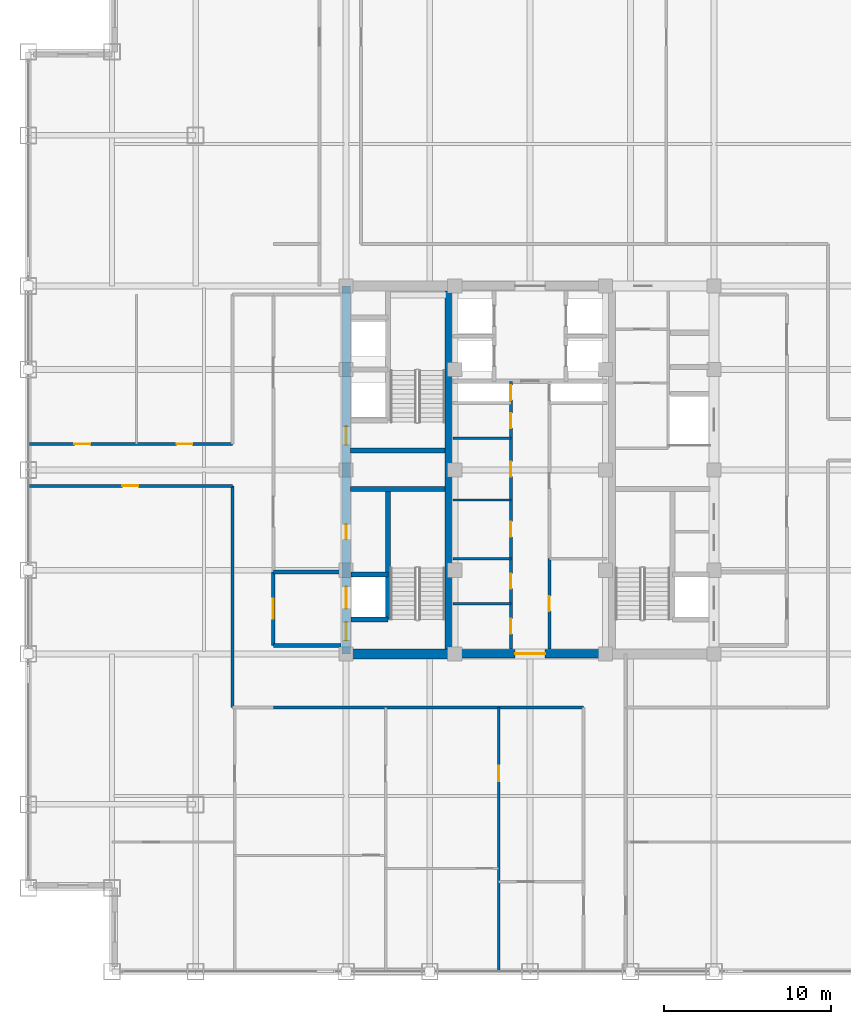
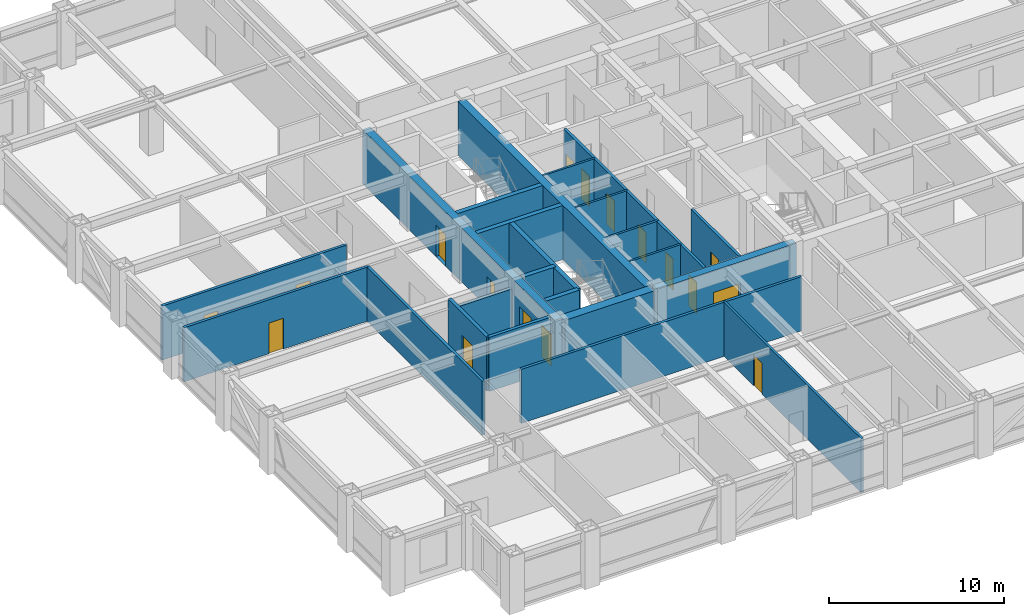
# One storey, part 20 of 24: 24 walls, 17 doors, 17 openings.
"""IFC4 building model written with IfcOpenShell, lengths in metres."""

from ifc_helpers import new_model, si_unit, direction, frame, frame_2d, origin, place, context, subcontext, project, spatial, rectangle, extrude, source, transform, mapped, material, layer, layer_set, type_object, element, fill, save


model = new_model("IFC4")

# Units and contexts
model_context = context("Model", 3, precision=1e-05, world=origin(), true_north=direction((0.0, 1.0)))
body_context = subcontext(model_context, "Body", "Model", "MODEL_VIEW")
ifc_project = project(units=[si_unit("LENGTHUNIT", "METRE"), si_unit("AREAUNIT", "SQUARE_METRE"), si_unit("VOLUMEUNIT", "CUBIC_METRE"), si_unit("PLANEANGLEUNIT", "RADIAN"), si_unit("MASSUNIT", "GRAM", prefix="KILO")], contexts=[model_context])

# Site, building, storey
site_placement = place(None, origin())
site = spatial("IfcSite", under=ifc_project, at=site_placement, CompositionType="ELEMENT")
building_placement = place(site_placement, origin())
building = spatial("IfcBuilding", under=site, at=building_placement, Name="Khorayat Bourse Tower", CompositionType="ELEMENT")
storey_placement = place(building_placement, frame((0.0, 0.0, 219.10009765625)))
storey = spatial("IfcBuildingStorey", under=building, at=storey_placement, Name="L51", CompositionType="ELEMENT", Elevation=219.10009765625)

# Wall
ifc_material_1 = material(Name="Concrete C52/65", Category="concrete")
ifc_layer_1 = layer(ifc_material_1, 0.5)
ifc_layer_set_1 = layer_set([ifc_layer_1], Name="Concrete C52/65")
wall_type_1 = type_object("IfcWallType", Name="WAL-CORE-500", PredefinedType="SHEAR", material=ifc_layer_set_1)
shared_shape_1 = source(origin(), body_context, "Body", "SweptSolid", [
    extrude(rectangle(XDim=21.39990234375, YDim=0.5, at=frame_2d((10.699951171875, 0.0))), origin(), (0.0, 0.0, 1.0), 3.77978515625),
])
wall_1_placement = place(storey_placement, frame((-4.85009765625, -10.699951171875, 0.0), z_axis=(0.0, 0.0, 1.0), x_axis=(0.0, 1.0, 0.0)))
element("IfcWall", 1, at=wall_1_placement, inside=storey, type_object=wall_type_1, Name="L51 Core Shear Wall PIER-W", PredefinedType="SHEAR", context=body_context, shape_type="MappedRepresentation", body=[
    mapped(shared_shape_1, transform((0.0, 0.0, 0.0), scale=1.0)),
])

# Wall, opening, door
shared_shape_2 = source(origin(), body_context, "Body", "SweptSolid", [
    extrude(rectangle(XDim=9.2001953125, YDim=0.5, at=frame_2d((4.60009765625, 0.0))), origin(), (0.0, 0.0, 1.0), 3.77978515625),
])
wall_2_placement = place(storey_placement, frame((-4.60009765625, -11.0, 0.0), z_axis=(0.0, 0.0, 1.0), x_axis=(1.0, 0.0, 0.0)))
wall_2 = element("IfcWall", 2, at=wall_2_placement, inside=storey, type_object=wall_type_1, Name="L51 Core Shear Wall CORE-S", PredefinedType="SHEAR", context=body_context, shape_type="MappedRepresentation", body=[
    mapped(shared_shape_2, transform((0.0, 0.0, 0.0), scale=1.0)),
])
shared_shape_3 = source(origin(), body_context, "Body", "SweptSolid", [
    extrude(rectangle(XDim=1.800048828125, YDim=2.25, at=frame_2d((0.89990234375, 1.125))), frame((0.0, 0.260009765625, 0.0), z_axis=(0.0, -1.0, 0.0), x_axis=(1.0, 0.0, 0.0)), (0.0, 0.0, 1.0), 0.52001953125),
])
opening_1_placement = place(wall_2_placement, frame((3.699951171875, 0.0, 0.0)))
opening_1 = element("IfcOpeningElement", 3, at=opening_1_placement, cuts=wall_2, Name="Opening DI-03", PredefinedType="OPENING", context=body_context, shape_type="MappedRepresentation", body=[
    mapped(shared_shape_3, transform((0.0, 0.0, 0.0), scale=1.0)),
])
ifc_material_2 = material(Name="Fire-rated hardwood vision-panel double leaf", Category="wood")
door_type_1 = type_object("IfcDoorType", Name="DR-INT-CORR-1800", OperationType="NOTDEFINED", PredefinedType="DOOR", material=ifc_material_2)
shared_shape_4 = source(origin(), body_context, "Body", "SweptSolid", [
    extrude(rectangle(XDim=1.800048828125, YDim=2.25, at=frame_2d((0.89990234375, 1.125))), frame((0.0, 0.02490234375, 0.0), z_axis=(0.0, -1.0, 0.0), x_axis=(1.0, 0.0, 0.0)), (0.0, 0.0, 1.0), 0.050048828125),
])
door_1_placement = place(opening_1_placement, origin())
door_1 = element("IfcDoor", 4, at=door_1_placement, inside=storey, type_object=door_type_1, Name="L51 Central Core South Passage Door", OperationType="SINGLE_SWING_LEFT", OverallHeight=2.25, OverallWidth=1.800048828125, PredefinedType="DOOR", context=body_context, shape_type="MappedRepresentation", body=[
    mapped(shared_shape_4, transform((0.0, 0.0, 0.0), scale=1.0)),
])
fill(opening_1, door_1)

# Wall, openings, doors
shared_shape_5 = source(origin(), body_context, "Body", "SweptSolid", [
    extrude(rectangle(XDim=22.0, YDim=0.5, at=frame_2d((11.0, 0.0))), origin(), (0.0, 0.0, 1.0), 3.77978515625),
])
wall_3_placement = place(storey_placement, frame((-11.0, -11.0, 0.0), z_axis=(0.0, 0.0, 1.0), x_axis=(0.0, 1.0, 0.0)))
wall_3 = element("IfcWall", 5, at=wall_3_placement, inside=storey, type_object=wall_type_1, Name="L51 Core Shear Wall CORE-W", PredefinedType="SHEAR", context=body_context, shape_type="MappedRepresentation", body=[
    mapped(shared_shape_5, transform((0.0, 0.0, 0.0), scale=1.0)),
])
shared_shape_6 = source(origin(), body_context, "Body", "SweptSolid", [
    extrude(rectangle(XDim=1.10009765625, YDim=2.199951171875, at=frame_2d((0.550048828125, 1.10009765625))), frame((0.0, 0.260009765625, 0.0), z_axis=(0.0, -1.0, 0.0), x_axis=(1.0, 0.0, 0.0)), (0.0, 0.0, 1.0), 0.52001953125),
])
opening_2_placement = place(wall_3_placement, frame((0.800048828125, 0.0, 0.0)))
opening_2 = element("IfcOpeningElement", 6, at=opening_2_placement, cuts=wall_3, Name="Opening DI-01", PredefinedType="OPENING", context=body_context, shape_type="MappedRepresentation", body=[
    mapped(shared_shape_6, transform((0.0, 0.0, 0.0), scale=1.0)),
])
opening_3_placement = place(wall_3_placement, frame((12.5, 0.0, 0.0)))
opening_3 = element("IfcOpeningElement", 7, at=opening_3_placement, cuts=wall_3, Name="Opening DI-01", PredefinedType="OPENING", context=body_context, shape_type="MappedRepresentation", body=[
    mapped(shared_shape_6, transform((0.0, 0.0, 0.0), scale=1.0)),
])
shared_shape_7 = source(origin(), body_context, "Body", "SweptSolid", [
    extrude(rectangle(XDim=0.89990234375, YDim=2.14990234375, at=frame_2d((0.449951171875, 1.074951171875))), frame((0.0, 0.260009765625, 0.0), z_axis=(0.0, -1.0, 0.0), x_axis=(1.0, 0.0, 0.0)), (0.0, 0.0, 1.0), 0.52001953125),
])
opening_4_placement = place(wall_3_placement, frame((6.85009765625, 0.0, 0.0)))
opening_4 = element("IfcOpeningElement", 8, at=opening_4_placement, cuts=wall_3, Name="Opening DI-06", PredefinedType="OPENING", context=body_context, shape_type="MappedRepresentation", body=[
    mapped(shared_shape_7, transform((0.0, 0.0, 0.0), scale=1.0)),
])
shared_shape_8 = source(origin(), body_context, "Body", "SweptSolid", [
    extrude(rectangle(XDim=1.300048828125, YDim=2.300048828125, at=frame_2d((0.64990234375, 1.14990234375))), frame((0.0, 0.260009765625, 0.0), z_axis=(0.0, -1.0, 0.0), x_axis=(1.0, 0.0, 0.0)), (0.0, 0.0, 1.0), 0.52001953125),
])
opening_5_placement = place(wall_3_placement, frame((2.699951171875, 0.0, 0.0)))
opening_5 = element("IfcOpeningElement", 9, at=opening_5_placement, cuts=wall_3, Name="Opening LD-02", PredefinedType="OPENING", context=body_context, shape_type="MappedRepresentation", body=[
    mapped(shared_shape_8, transform((0.0, 0.0, 0.0), scale=1.0)),
])
ifc_material_3 = material(Name="Fire-rated steel acoustic leaf", Category="steel")
door_type_2 = type_object("IfcDoorType", Name="DR-INT-STAIR-1100", OperationType="NOTDEFINED", PredefinedType="DOOR", material=ifc_material_3)
shared_shape_9 = source(origin(), body_context, "Body", "SweptSolid", [
    extrude(rectangle(XDim=1.10009765625, YDim=2.199951171875, at=frame_2d((0.550048828125, 1.10009765625))), frame((0.0, 0.02490234375, 0.0), z_axis=(0.0, -1.0, 0.0), x_axis=(1.0, 0.0, 0.0)), (0.0, 0.0, 1.0), 0.050048828125),
])
door_2_placement = place(opening_2_placement, origin())
door_2 = element("IfcDoor", 10, at=door_2_placement, inside=storey, type_object=door_type_2, Name="L51 Exit Stair 1 Door", OperationType="SINGLE_SWING_RIGHT", OverallHeight=2.199951171875, OverallWidth=1.10009765625, PredefinedType="DOOR", context=body_context, shape_type="MappedRepresentation", body=[
    mapped(shared_shape_9, transform((0.0, 0.0, 0.0), scale=1.0)),
])
fill(opening_2, door_2)
door_3_placement = place(opening_3_placement, origin())
door_3 = element("IfcDoor", 11, at=door_3_placement, inside=storey, type_object=door_type_2, Name="L51 Exit Stair 2 Door", OperationType="SINGLE_SWING_RIGHT", OverallHeight=2.199951171875, OverallWidth=1.10009765625, PredefinedType="DOOR", context=body_context, shape_type="MappedRepresentation", body=[
    mapped(shared_shape_9, transform((0.0, 0.0, 0.0), scale=1.0)),
])
fill(opening_3, door_3)
ifc_material_4 = material(Name="Moisture-resistant laminate washroom door")
door_type_3 = type_object("IfcDoorType", Name="DR-INT-WC-900", OperationType="NOTDEFINED", PredefinedType="DOOR", material=ifc_material_4)
shared_shape_10 = source(origin(), body_context, "Body", "SweptSolid", [
    extrude(rectangle(XDim=0.89990234375, YDim=2.14990234375, at=frame_2d((0.449951171875, 1.074951171875))), frame((0.0, 0.02490234375, 0.0), z_axis=(0.0, -1.0, 0.0), x_axis=(1.0, 0.0, 0.0)), (0.0, 0.0, 1.0), 0.050048828125),
])
door_4_placement = place(opening_4_placement, origin())
door_4 = element("IfcDoor", 12, at=door_4_placement, inside=storey, type_object=door_type_3, Name="L51 Electrical Switch Plant Room Door", OperationType="SINGLE_SWING_RIGHT", OverallHeight=2.14990234375, OverallWidth=0.89990234375, PredefinedType="DOOR", context=body_context, shape_type="MappedRepresentation", body=[
    mapped(shared_shape_10, transform((0.0, 0.0, 0.0), scale=1.0)),
])
fill(opening_4, door_4)
ifc_material_5 = material(Name="Fire-rated stainless-steel sliding landing door", Category="steel")
door_type_4 = type_object("IfcDoorType", Name="DR-LIFT-FF-1300", OperationType="NOTDEFINED", PredefinedType="DOOR", material=ifc_material_5)
shared_shape_11 = source(origin(), body_context, "Body", "SweptSolid", [
    extrude(rectangle(XDim=1.300048828125, YDim=2.300048828125, at=frame_2d((0.64990234375, 1.14990234375))), frame((0.0, 0.02490234375, 0.0), z_axis=(0.0, -1.0, 0.0), x_axis=(1.0, 0.0, 0.0)), (0.0, 0.0, 1.0), 0.050048828125),
])
door_5_placement = place(opening_5_placement, origin())
door_5 = element("IfcDoor", 13, at=door_5_placement, inside=storey, type_object=door_type_4, Name="L51 Lift FFL-01 Sliding Landing Door", OperationType="SLIDING_TO_LEFT", OverallHeight=2.300048828125, OverallWidth=1.300048828125, PredefinedType="DOOR", context=body_context, shape_type="MappedRepresentation", body=[
    mapped(shared_shape_11, transform((0.0, 0.0, 0.0), scale=1.0)),
])
fill(opening_5, door_5)

# Walls
ifc_material_6 = material(Name="Concrete C60/75", Category="concrete")
ifc_layer_2 = layer(ifc_material_6, 0.60009765625)
ifc_layer_set_2 = layer_set([ifc_layer_2], Name="Concrete C60/75")
wall_type_2 = type_object("IfcWallType", Name="WAL-CORE-600", PredefinedType="SHEAR", material=ifc_layer_set_2)
shared_shape_12 = source(origin(), body_context, "Body", "SweptSolid", [
    extrude(rectangle(XDim=5.89990234375, YDim=0.60009765625, at=frame_2d((2.949951171875, 0.0))), origin(), (0.0, 0.0, 1.0), 3.77978515625),
])
wall_4_placement = place(storey_placement, frame((-10.75, -11.0, 0.0), z_axis=(0.0, 0.0, 1.0), x_axis=(1.0, 0.0, 0.0)))
element("IfcWall", 14, at=wall_4_placement, inside=storey, type_object=wall_type_2, Name="L51 Core Shear Wall PIER-WS", PredefinedType="SHEAR", context=body_context, shape_type="MappedRepresentation", body=[
    mapped(shared_shape_12, transform((0.0, 0.0, 0.0), scale=1.0)),
])
ifc_material_7 = material(Name="Concrete C50/60", Category="concrete")
ifc_layer_3 = layer(ifc_material_7, 0.300048828125)
ifc_layer_set_3 = layer_set([ifc_layer_3], Name="Concrete C50/60")
wall_type_3 = type_object("IfcWallType", Name="WAL-SHAFT-300", PredefinedType="SHEAR", material=ifc_layer_set_3)
shared_shape_13 = source(origin(), body_context, "Body", "SweptSolid", [
    extrude(rectangle(XDim=5.64990234375, YDim=0.300048828125, at=frame_2d((2.824951171875, 0.0))), origin(), (0.0, 0.0, 1.0), 3.77978515625),
])
for number, where, z_axis, x_axis, name in (
    (15, (-10.75, -1.14990234375, 0.0), (0.0, 0.0, 1.0), (1.0, 0.0, 0.0), "L51 Core Shear Wall ST1-DIV"),
    (16, (-10.75, 1.14990234375, 0.0), (0.0, 0.0, 1.0), (1.0, 0.0, 0.0), "L51 Core Shear Wall ST2-DIV"),
):
    element("IfcWall", number, at=place(storey_placement, frame(where, z_axis=z_axis, x_axis=x_axis)), inside=storey, type_object=wall_type_3, Name=name, PredefinedType="SHEAR", context=body_context, shape_type="MappedRepresentation", body=[
        mapped(shared_shape_13, transform((0.0, 0.0, 0.0), scale=1.0)),
    ])
ifc_material_8 = material(Name="Aerated concrete blockwork", Category="masonry")
ifc_layer_4 = layer(ifc_material_8, 0.219970703125)
ifc_layer_set_4 = layer_set([ifc_layer_4], Name="Aerated concrete blockwork")
wall_type_4 = type_object("IfcWallType", Name="WAL-PART-FF-220", PredefinedType="PARTITIONING", material=ifc_layer_set_4)
shared_shape_14 = source(origin(), body_context, "Body", "SweptSolid", [
    extrude(rectangle(XDim=4.050048828125, YDim=0.219970703125, at=frame_2d((2.02490234375, 0.0))), origin(), (0.0, 0.0, 1.0), 3.0849609375),
])
wall_5_placement = place(storey_placement, frame((-15.35009765625, -6.10009765625, 0.0), z_axis=(0.0, 0.0, 1.0), x_axis=(1.0, 0.0, 0.0)))
element("IfcWall", 17, at=wall_5_placement, inside=storey, type_object=wall_type_4, Name="L51 Partition WAL-L51-FFLW-N", PredefinedType="PARTITIONING", context=body_context, shape_type="MappedRepresentation", body=[
    mapped(shared_shape_14, transform((0.0, 0.0, 0.0), scale=1.0)),
])
shared_shape_15 = source(origin(), body_context, "Body", "SweptSolid", [
    extrude(rectangle(XDim=7.800048828125, YDim=0.300048828125, at=frame_2d((3.89990234375, 0.0))), origin(), (0.0, 0.0, 1.0), 3.77978515625),
])
wall_6_placement = place(storey_placement, frame((-8.5, -8.949951171875, 0.0), z_axis=(0.0, 0.0, 1.0), x_axis=(0.0, 1.0, 0.0)))
element("IfcWall", 18, at=wall_6_placement, inside=storey, type_object=wall_type_3, Name="L51 Partition WAL-L51-WPIER-SP", PredefinedType="SHEAR", context=body_context, shape_type="MappedRepresentation", body=[
    mapped(shared_shape_15, transform((0.0, 0.0, 0.0), scale=1.0)),
])
shared_shape_16 = source(origin(), body_context, "Body", "SweptSolid", [
    extrude(rectangle(XDim=2.199951171875, YDim=0.300048828125, at=frame_2d((1.10009765625, 0.0))), origin(), (0.0, 0.0, 1.0), 3.77978515625),
])
for number, where, z_axis, x_axis, name in (
    (19, (-10.699951171875, -8.949951171875, 0.0), (0.0, 0.0, 1.0), (1.0, 0.0, 0.0), "L51 Partition WAL-L51-WPIER-FF1S"),
    (20, (-10.699951171875, -6.25, 0.0), (0.0, 0.0, 1.0), (1.0, 0.0, 0.0), "L51 Partition WAL-L51-WPIER-FF1N"),
):
    element("IfcWall", number, at=place(storey_placement, frame(where, z_axis=z_axis, x_axis=x_axis)), inside=storey, type_object=wall_type_3, Name=name, PredefinedType="SHEAR", context=body_context, shape_type="MappedRepresentation", body=[
        mapped(shared_shape_16, transform((0.0, 0.0, 0.0), scale=1.0)),
    ])
shared_shape_17 = source(origin(), body_context, "Body", "SweptSolid", [
    extrude(rectangle(XDim=4.050048828125, YDim=0.219970703125, at=frame_2d((2.02490234375, 0.0))), origin(), (0.0, 0.0, 1.0), 3.77978515625),
])
wall_7_placement = place(storey_placement, frame((-15.35009765625, -10.5, 0.0), z_axis=(0.0, 0.0, 1.0), x_axis=(1.0, 0.0, 0.0)))
element("IfcWall", 21, at=wall_7_placement, inside=storey, type_object=wall_type_4, Name="L51 Partition WAL-L51-FFLW-S", PredefinedType="PARTITIONING", context=body_context, shape_type="MappedRepresentation", body=[
    mapped(shared_shape_17, transform((0.0, 0.0, 0.0), scale=1.0)),
])

# Wall, opening, door
shared_shape_18 = source(origin(), body_context, "Body", "SweptSolid", [
    extrude(rectangle(XDim=4.39990234375, YDim=0.219970703125, at=frame_2d((2.199951171875, 0.0))), origin(), (0.0, 0.0, 1.0), 3.77978515625),
])
wall_8_placement = place(storey_placement, frame((-15.35009765625, -10.5, 0.0), z_axis=(0.0, 0.0, 1.0), x_axis=(0.0, 1.0, 0.0)))
wall_8 = element("IfcWall", 22, at=wall_8_placement, inside=storey, type_object=wall_type_4, Name="L51 Partition WAL-L51-FFLW-W", PredefinedType="PARTITIONING", context=body_context, shape_type="MappedRepresentation", body=[
    mapped(shared_shape_18, transform((0.0, 0.0, 0.0), scale=1.0)),
])
shared_shape_19 = source(origin(), body_context, "Body", "SweptSolid", [
    extrude(rectangle(XDim=1.199951171875, YDim=2.199951171875, at=frame_2d((0.60009765625, 1.10009765625))), frame((0.0, 0.119873046875, 0.0), z_axis=(0.0, -1.0, 0.0), x_axis=(1.0, 0.0, 0.0)), (0.0, 0.0, 1.0), 0.239990234375),
])
opening_6_placement = place(wall_8_placement, frame((1.60009765625, 0.0, 0.0)))
opening_6 = element("IfcOpeningElement", 23, at=opening_6_placement, cuts=wall_8, Name="Opening DI-02", PredefinedType="OPENING", context=body_context, shape_type="MappedRepresentation", body=[
    mapped(shared_shape_19, transform((0.0, 0.0, 0.0), scale=1.0)),
])
ifc_material_9 = material(Name="Fire-rated steel double-seal leaf", Category="steel")
door_type_5 = type_object("IfcDoorType", Name="DR-INT-FFLOBBY-1200", OperationType="NOTDEFINED", PredefinedType="DOOR", material=ifc_material_9)
shared_shape_20 = source(origin(), body_context, "Body", "SweptSolid", [
    extrude(rectangle(XDim=1.199951171875, YDim=2.199951171875, at=frame_2d((0.60009765625, 1.10009765625))), frame((0.0, 0.02490234375, 0.0), z_axis=(0.0, -1.0, 0.0), x_axis=(1.0, 0.0, 0.0)), (0.0, 0.0, 1.0), 0.050048828125),
])
door_6_placement = place(opening_6_placement, origin())
door_6 = element("IfcDoor", 24, at=door_6_placement, inside=storey, type_object=door_type_5, Name="L51 West Firefighting Lobby Door", OperationType="SINGLE_SWING_LEFT", OverallHeight=2.199951171875, OverallWidth=1.199951171875, PredefinedType="DOOR", context=body_context, shape_type="MappedRepresentation", body=[
    mapped(shared_shape_20, transform((0.0, 0.0, 0.0), scale=1.0)),
])
fill(opening_6, door_6)

# Walls
ifc_material_10 = material(Name="Gypsum plasterboard twin-frame partition")
ifc_layer_5 = layer(ifc_material_10, 0.14990234375)
ifc_layer_set_5 = layer_set([ifc_layer_5], Name="Gypsum plasterboard twin-frame partition")
wall_type_5 = type_object("IfcWallType", Name="WAL-PART-SUITE-150", PredefinedType="PARTITIONING", material=ifc_layer_set_5)
shared_shape_21 = source(origin(), body_context, "Body", "SweptSolid", [
    extrude(rectangle(XDim=3.4501953125, YDim=0.14990234375, at=frame_2d((1.72509765625, 0.0))), origin(), (0.0, 0.0, 1.0), 3.77978515625),
])
wall_9_placement = place(storey_placement, frame((-4.60009765625, -5.300048828125, 0.0), z_axis=(0.0, 0.0, 1.0), x_axis=(1.0, 0.0, 0.0)))
element("IfcWall", 25, at=wall_9_placement, inside=storey, type_object=wall_type_5, Name="L51 Partition WAL-L51-FB1-NW", PredefinedType="PARTITIONING", context=body_context, shape_type="MappedRepresentation", body=[
    mapped(shared_shape_21, transform((0.0, 0.0, 0.0), scale=1.0)),
])
ifc_material_11 = material(Name="Moisture-resistant masonry partition", Category="masonry")
ifc_layer_6 = layer(ifc_material_11, 0.139892578125)
ifc_layer_set_6 = layer_set([ifc_layer_6], Name="Moisture-resistant masonry partition")
wall_type_6 = type_object("IfcWallType", Name="WAL-PART-WET-140", PredefinedType="PARTITIONING", material=ifc_layer_set_6)
shared_shape_22 = source(origin(), body_context, "Body", "SweptSolid", [
    extrude(rectangle(XDim=3.4501953125, YDim=0.139892578125, at=frame_2d((1.72509765625, 0.0))), origin(), (0.0, 0.0, 1.0), 3.77978515625),
])
for number, where, z_axis, x_axis, name in (
    (26, (-4.60009765625, -8.0, 0.0), (0.0, 0.0, 1.0), (1.0, 0.0, 0.0), "L51 Partition WAL-L51-FB1W-D1"),
    (27, (-4.60009765625, -1.800048828125, 0.0), (0.0, 0.0, 1.0), (1.0, 0.0, 0.0), "L51 Partition WAL-L51-CMW-D1"),
    (28, (-4.60009765625, 1.89990234375, 0.0), (0.0, 0.0, 1.0), (1.0, 0.0, 0.0), "L51 Partition WAL-L51-CMW-D2"),
):
    element("IfcWall", number, at=place(storey_placement, frame(where, z_axis=z_axis, x_axis=x_axis)), inside=storey, type_object=wall_type_6, Name=name, PredefinedType="PARTITIONING", context=body_context, shape_type="MappedRepresentation", body=[
        mapped(shared_shape_22, transform((0.0, 0.0, 0.0), scale=1.0)),
    ])

# Wall, openings, doors
ifc_material_12 = material(Name="Gypsum plasterboard acoustic stud wall")
ifc_layer_7 = layer(ifc_material_12, 0.179931640625)
ifc_layer_set_7 = layer_set([ifc_layer_7], Name="Gypsum plasterboard acoustic stud wall")
wall_type_7 = type_object("IfcWallType", Name="WAL-PART-CORR-180", PredefinedType="PARTITIONING", material=ifc_layer_set_7)
shared_shape_23 = source(origin(), body_context, "Body", "SweptSolid", [
    extrude(rectangle(XDim=5.39990234375, YDim=0.179931640625, at=frame_2d((2.699951171875, 0.0))), origin(), (0.0, 0.0, 1.0), 3.77978515625),
])
wall_10_placement = place(storey_placement, frame((-1.14990234375, -10.699951171875, 0.0), z_axis=(0.0, 0.0, 1.0), x_axis=(0.0, 1.0, 0.0)))
wall_10 = element("IfcWall", 29, at=wall_10_placement, inside=storey, type_object=wall_type_7, Name="L51 Partition WAL-L51-FB1W-L", PredefinedType="PARTITIONING", context=body_context, shape_type="MappedRepresentation", body=[
    mapped(shared_shape_23, transform((0.0, 0.0, 0.0), scale=1.0)),
])
shared_shape_24 = source(origin(), body_context, "Body", "SweptSolid", [
    extrude(rectangle(XDim=0.89990234375, YDim=2.14990234375, at=frame_2d((0.449951171875, 1.074951171875))), frame((0.0, 0.099853515625, 0.0), z_axis=(0.0, -1.0, 0.0), x_axis=(1.0, 0.0, 0.0)), (0.0, 0.0, 1.0), 0.199951171875),
])
opening_7_placement = place(wall_10_placement, frame((0.89990234375, 0.0, 0.0)))
opening_7 = element("IfcOpeningElement", 30, at=opening_7_placement, cuts=wall_10, Name="Opening DI-06", PredefinedType="OPENING", context=body_context, shape_type="MappedRepresentation", body=[
    mapped(shared_shape_24, transform((0.0, 0.0, 0.0), scale=1.0)),
])
opening_8_placement = place(wall_10_placement, frame((3.60009765625, 0.0, 0.0)))
opening_8 = element("IfcOpeningElement", 31, at=opening_8_placement, cuts=wall_10, Name="Opening DI-06", PredefinedType="OPENING", context=body_context, shape_type="MappedRepresentation", body=[
    mapped(shared_shape_24, transform((0.0, 0.0, 0.0), scale=1.0)),
])
door_7_placement = place(opening_7_placement, origin())
door_7 = element("IfcDoor", 32, at=door_7_placement, inside=storey, type_object=door_type_3, Name="L51 Clearing Vault Store Door", OperationType="SINGLE_SWING_RIGHT", OverallHeight=2.14990234375, OverallWidth=0.89990234375, PredefinedType="DOOR", context=body_context, shape_type="MappedRepresentation", body=[
    mapped(shared_shape_10, transform((0.0, 0.0, 0.0), scale=1.0)),
])
fill(opening_7, door_7)
door_8_placement = place(opening_8_placement, origin())
door_8 = element("IfcDoor", 33, at=door_8_placement, inside=storey, type_object=door_type_3, Name="L51 UPS Battery Plant Room Door", OperationType="SINGLE_SWING_LEFT", OverallHeight=2.14990234375, OverallWidth=0.89990234375, PredefinedType="DOOR", context=body_context, shape_type="MappedRepresentation", body=[
    mapped(shared_shape_10, transform((0.0, 0.0, 0.0), scale=1.0)),
])
fill(opening_8, door_8)

# Wall, opening, door
wall_11_placement = place(storey_placement, frame((1.14990234375, -10.699951171875, 0.0), z_axis=(0.0, 0.0, 1.0), x_axis=(0.0, 1.0, 0.0)))
wall_11 = element("IfcWall", 34, at=wall_11_placement, inside=storey, type_object=wall_type_7, Name="L51 Partition WAL-L51-FB1E-L", PredefinedType="PARTITIONING", context=body_context, shape_type="MappedRepresentation", body=[
    mapped(shared_shape_23, transform((0.0, 0.0, 0.0), scale=1.0)),
])
opening_9_placement = place(wall_11_placement, frame((2.25, 0.0, 0.0)))
opening_9 = element("IfcOpeningElement", 35, at=opening_9_placement, cuts=wall_11, Name="Opening DI-06", PredefinedType="OPENING", context=body_context, shape_type="MappedRepresentation", body=[
    mapped(shared_shape_24, transform((0.0, 0.0, 0.0), scale=1.0)),
])
door_9_placement = place(opening_9_placement, origin())
door_9 = element("IfcDoor", 36, at=door_9_placement, inside=storey, type_object=door_type_3, Name="L51 Core Archive Vault Door", OperationType="SINGLE_SWING_RIGHT", OverallHeight=2.14990234375, OverallWidth=0.89990234375, PredefinedType="DOOR", context=body_context, shape_type="MappedRepresentation", body=[
    mapped(shared_shape_10, transform((0.0, 0.0, 0.0), scale=1.0)),
])
fill(opening_9, door_9)

# Wall, openings, doors
shared_shape_25 = source(origin(), body_context, "Body", "SweptSolid", [
    extrude(rectangle(XDim=10.60009765625, YDim=0.179931640625, at=frame_2d((5.300048828125, 0.0))), origin(), (0.0, 0.0, 1.0), 3.77978515625),
])
wall_12_placement = place(storey_placement, frame((-1.14990234375, -5.300048828125, 0.0), z_axis=(0.0, 0.0, 1.0), x_axis=(0.0, 1.0, 0.0)))
wall_12 = element("IfcWall", 37, at=wall_12_placement, inside=storey, type_object=wall_type_7, Name="L51 Partition WAL-L51-CMW-L", PredefinedType="PARTITIONING", context=body_context, shape_type="MappedRepresentation", body=[
    mapped(shared_shape_25, transform((0.0, 0.0, 0.0), scale=1.0)),
])
opening_10_placement = place(wall_12_placement, frame((1.300048828125, 0.0, 0.0)))
opening_10 = element("IfcOpeningElement", 38, at=opening_10_placement, cuts=wall_12, Name="Opening DI-06", PredefinedType="OPENING", context=body_context, shape_type="MappedRepresentation", body=[
    mapped(shared_shape_24, transform((0.0, 0.0, 0.0), scale=1.0)),
])
opening_11_placement = place(wall_12_placement, frame((4.89990234375, 0.0, 0.0)))
opening_11 = element("IfcOpeningElement", 39, at=opening_11_placement, cuts=wall_12, Name="Opening DI-06", PredefinedType="OPENING", context=body_context, shape_type="MappedRepresentation", body=[
    mapped(shared_shape_24, transform((0.0, 0.0, 0.0), scale=1.0)),
])
opening_12_placement = place(wall_12_placement, frame((7.800048828125, 0.0, 0.0)))
opening_12 = element("IfcOpeningElement", 40, at=opening_12_placement, cuts=wall_12, Name="Opening DI-06", PredefinedType="OPENING", context=body_context, shape_type="MappedRepresentation", body=[
    mapped(shared_shape_24, transform((0.0, 0.0, 0.0), scale=1.0)),
])
opening_13_placement = place(wall_12_placement, frame((9.47509765625, 0.0, 0.0)))
opening_13 = element("IfcOpeningElement", 41, at=opening_13_placement, cuts=wall_12, Name="Opening DI-06", PredefinedType="OPENING", context=body_context, shape_type="MappedRepresentation", body=[
    mapped(shared_shape_24, transform((0.0, 0.0, 0.0), scale=1.0)),
])
door_10_placement = place(opening_10_placement, origin())
door_10 = element("IfcDoor", 42, at=door_10_placement, inside=storey, type_object=door_type_3, Name="L51 Male Core Washroom Door", OperationType="SINGLE_SWING_RIGHT", OverallHeight=2.14990234375, OverallWidth=0.89990234375, PredefinedType="DOOR", context=body_context, shape_type="MappedRepresentation", body=[
    mapped(shared_shape_10, transform((0.0, 0.0, 0.0), scale=1.0)),
])
fill(opening_10, door_10)
door_11_placement = place(opening_11_placement, origin())
door_11 = element("IfcDoor", 43, at=door_11_placement, inside=storey, type_object=door_type_3, Name="L51 AHU Fan Plant Room Door", OperationType="SINGLE_SWING_LEFT", OverallHeight=2.14990234375, OverallWidth=0.89990234375, PredefinedType="DOOR", context=body_context, shape_type="MappedRepresentation", body=[
    mapped(shared_shape_10, transform((0.0, 0.0, 0.0), scale=1.0)),
])
fill(opening_11, door_11)
door_12_placement = place(opening_12_placement, origin())
door_12 = element("IfcDoor", 44, at=door_12_placement, inside=storey, type_object=door_type_3, Name="L51 Janitor Store Door", OperationType="SINGLE_SWING_RIGHT", OverallHeight=2.14990234375, OverallWidth=0.89990234375, PredefinedType="DOOR", context=body_context, shape_type="MappedRepresentation", body=[
    mapped(shared_shape_10, transform((0.0, 0.0, 0.0), scale=1.0)),
])
fill(opening_12, door_12)
door_13_placement = place(opening_13_placement, origin())
door_13 = element("IfcDoor", 45, at=door_13_placement, inside=storey, type_object=door_type_3, Name="L51 West Core Riser Door", OperationType="SINGLE_SWING_LEFT", OverallHeight=2.14990234375, OverallWidth=0.89990234375, PredefinedType="DOOR", context=body_context, shape_type="MappedRepresentation", body=[
    mapped(shared_shape_10, transform((0.0, 0.0, 0.0), scale=1.0)),
])
fill(opening_13, door_13)

# Wall, opening, door
shared_shape_26 = source(origin(), body_context, "Body", "SweptSolid", [
    extrude(rectangle(XDim=15.800048828125, YDim=0.14990234375, at=frame_2d((7.89990234375, 0.0))), origin(), (0.0, 0.0, 1.0), 3.77978515625),
])
wall_13_placement = place(storey_placement, frame((-1.8759765625, -30.0, 0.0), z_axis=(0.0, 0.0, 1.0), x_axis=(0.0, 1.0, 0.0)))
wall_13 = element("IfcWall", 46, at=wall_13_placement, inside=storey, type_object=wall_type_5, Name="L51 Partition WAL-L51-QSWDV-3", PredefinedType="PARTITIONING", context=body_context, shape_type="MappedRepresentation", body=[
    mapped(shared_shape_26, transform((0.0, 0.0, 0.0), scale=1.0)),
])
shared_shape_27 = source(origin(), body_context, "Body", "SweptSolid", [
    extrude(rectangle(XDim=0.949951171875, YDim=2.14990234375, at=frame_2d((0.47509765625, 1.074951171875))), frame((0.0, 0.0849609375, 0.0), z_axis=(0.0, -1.0, 0.0), x_axis=(1.0, 0.0, 0.0)), (0.0, 0.0, 1.0), 0.169921875),
])
opening_14_placement = place(wall_13_placement, frame((11.375, 0.0, 0.0)))
opening_14 = element("IfcOpeningElement", 47, at=opening_14_placement, cuts=wall_13, Name="Opening DI-05", PredefinedType="OPENING", context=body_context, shape_type="MappedRepresentation", body=[
    mapped(shared_shape_27, transform((0.0, 0.0, 0.0), scale=1.0)),
])
ifc_material_13 = material(Name="Acoustic oak veneer office door")
door_type_6 = type_object("IfcDoorType", Name="DR-INT-OFFICE-950", OperationType="NOTDEFINED", PredefinedType="DOOR", material=ifc_material_13)
shared_shape_28 = source(origin(), body_context, "Body", "SweptSolid", [
    extrude(rectangle(XDim=0.949951171875, YDim=2.14990234375, at=frame_2d((0.47509765625, 1.074951171875))), frame((0.0, 0.02490234375, 0.0), z_axis=(0.0, -1.0, 0.0), x_axis=(1.0, 0.0, 0.0)), (0.0, 0.0, 1.0), 0.050048828125),
])
door_14_placement = place(opening_14_placement, origin())
door_14 = element("IfcDoor", 48, at=door_14_placement, inside=storey, type_object=door_type_6, Name="L51 South-West Suite Link 3", OperationType="SINGLE_SWING_RIGHT", OverallHeight=2.14990234375, OverallWidth=0.949951171875, PredefinedType="DOOR", context=body_context, shape_type="MappedRepresentation", body=[
    mapped(shared_shape_28, transform((0.0, 0.0, 0.0), scale=1.0)),
])
fill(opening_14, door_14)

shared_shape_29 = source(origin(), body_context, "Body", "SweptSolid", [
    extrude(rectangle(XDim=12.199951171875, YDim=0.179931640625, at=frame_2d((6.10009765625, 0.0))), origin(), (0.0, 0.0, 1.0), 3.77978515625),
])
wall_14_placement = place(storey_placement, frame((-30.0, -0.949951171875, 0.0), z_axis=(0.0, 0.0, 1.0), x_axis=(1.0, 0.0, 0.0)))
wall_14 = element("IfcWall", 49, at=wall_14_placement, inside=storey, type_object=wall_type_7, Name="L51 Partition WAL-L51-WS-SPK", PredefinedType="PARTITIONING", context=body_context, shape_type="MappedRepresentation", body=[
    mapped(shared_shape_29, transform((0.0, 0.0, 0.0), scale=1.0)),
])
shared_shape_30 = source(origin(), body_context, "Body", "SweptSolid", [
    extrude(rectangle(XDim=0.949951171875, YDim=2.14990234375, at=frame_2d((0.47509765625, 1.074951171875))), frame((0.0, 0.099853515625, 0.0), z_axis=(0.0, -1.0, 0.0), x_axis=(1.0, 0.0, 0.0)), (0.0, 0.0, 1.0), 0.199951171875),
])
opening_15_placement = place(wall_14_placement, frame((5.625, 0.0, 0.0)))
opening_15 = element("IfcOpeningElement", 50, at=opening_15_placement, cuts=wall_14, Name="Opening DI-05", PredefinedType="OPENING", context=body_context, shape_type="MappedRepresentation", body=[
    mapped(shared_shape_30, transform((0.0, 0.0, 0.0), scale=1.0)),
])
door_15_placement = place(opening_15_placement, origin())
door_15 = element("IfcDoor", 51, at=door_15_placement, inside=storey, type_object=door_type_6, Name="L51 Market Risk Analytics Workspace WS Door", OperationType="SINGLE_SWING_LEFT", OverallHeight=2.14990234375, OverallWidth=0.949951171875, PredefinedType="DOOR", context=body_context, shape_type="MappedRepresentation", body=[
    mapped(shared_shape_28, transform((0.0, 0.0, 0.0), scale=1.0)),
])
fill(opening_15, door_15)

# Wall, openings, doors
wall_15_placement = place(storey_placement, frame((-30.0, 1.550048828125, 0.0), z_axis=(0.0, 0.0, 1.0), x_axis=(1.0, 0.0, 0.0)))
wall_15 = element("IfcWall", 52, at=wall_15_placement, inside=storey, type_object=wall_type_7, Name="L51 Partition WAL-L51-WN-SPK", PredefinedType="PARTITIONING", context=body_context, shape_type="MappedRepresentation", body=[
    mapped(shared_shape_29, transform((0.0, 0.0, 0.0), scale=1.0)),
])
opening_16_placement = place(wall_15_placement, frame((2.758056640625, 0.0, 0.0)))
opening_16 = element("IfcOpeningElement", 53, at=opening_16_placement, cuts=wall_15, Name="Opening DI-05", PredefinedType="OPENING", context=body_context, shape_type="MappedRepresentation", body=[
    mapped(shared_shape_30, transform((0.0, 0.0, 0.0), scale=1.0)),
])
opening_17_placement = place(wall_15_placement, frame((8.85791015625, 0.0, 0.0)))
opening_17 = element("IfcOpeningElement", 54, at=opening_17_placement, cuts=wall_15, Name="Opening DI-05", PredefinedType="OPENING", context=body_context, shape_type="MappedRepresentation", body=[
    mapped(shared_shape_30, transform((0.0, 0.0, 0.0), scale=1.0)),
])
door_16_placement = place(opening_16_placement, origin())
door_16 = element("IfcDoor", 55, at=door_16_placement, inside=storey, type_object=door_type_6, Name="L51 Equities Trading Desk WNA Door", OperationType="SINGLE_SWING_LEFT", OverallHeight=2.14990234375, OverallWidth=0.949951171875, PredefinedType="DOOR", context=body_context, shape_type="MappedRepresentation", body=[
    mapped(shared_shape_28, transform((0.0, 0.0, 0.0), scale=1.0)),
])
fill(opening_16, door_16)
door_17_placement = place(opening_17_placement, origin())
door_17 = element("IfcDoor", 56, at=door_17_placement, inside=storey, type_object=door_type_6, Name="L51 Clearing Operations Office WNB Door", OperationType="SINGLE_SWING_RIGHT", OverallHeight=2.14990234375, OverallWidth=0.949951171875, PredefinedType="DOOR", context=body_context, shape_type="MappedRepresentation", body=[
    mapped(shared_shape_28, transform((0.0, 0.0, 0.0), scale=1.0)),
])
fill(opening_17, door_17)

# Walls
shared_shape_31 = source(origin(), body_context, "Body", "SweptSolid", [
    extrude(rectangle(XDim=18.550048828125, YDim=0.179931640625, at=frame_2d((9.27490234375, 0.0))), origin(), (0.0, 0.0, 1.0), 3.77978515625),
])
wall_16_placement = place(storey_placement, frame((-15.35009765625, -14.199951171875, 0.0), z_axis=(0.0, 0.0, 1.0), x_axis=(1.0, 0.0, 0.0)))
element("IfcWall", 57, at=wall_16_placement, inside=storey, type_object=wall_type_7, Name="L51 Partition WAL-L51-QSW-HC", PredefinedType="PARTITIONING", context=body_context, shape_type="MappedRepresentation", body=[
    mapped(shared_shape_31, transform((0.0, 0.0, 0.0), scale=1.0)),
])
shared_shape_32 = source(origin(), body_context, "Body", "SweptSolid", [
    extrude(rectangle(XDim=13.25, YDim=0.179931640625, at=frame_2d((6.625, 0.0))), origin(), (0.0, 0.0, 1.0), 3.77978515625),
])
wall_17_placement = place(storey_placement, frame((-17.800048828125, -14.199951171875, 0.0), z_axis=(0.0, 0.0, 1.0), x_axis=(0.0, 1.0, 0.0)))
element("IfcWall", 58, at=wall_17_placement, inside=storey, type_object=wall_type_7, Name="L51 Partition WAL-L51-WS-IN", PredefinedType="PARTITIONING", context=body_context, shape_type="MappedRepresentation", body=[
    mapped(shared_shape_32, transform((0.0, 0.0, 0.0), scale=1.0)),
])

save(model, "model.ifc")
